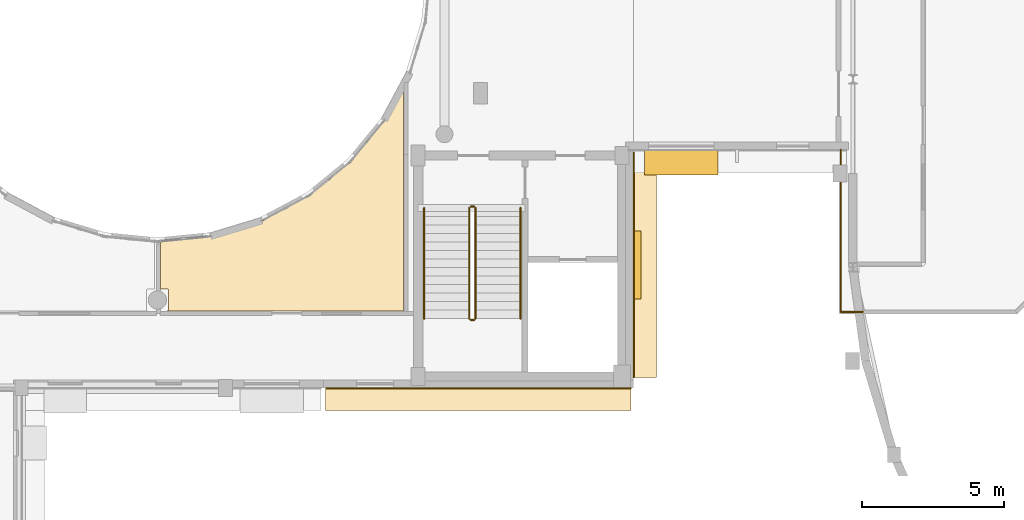
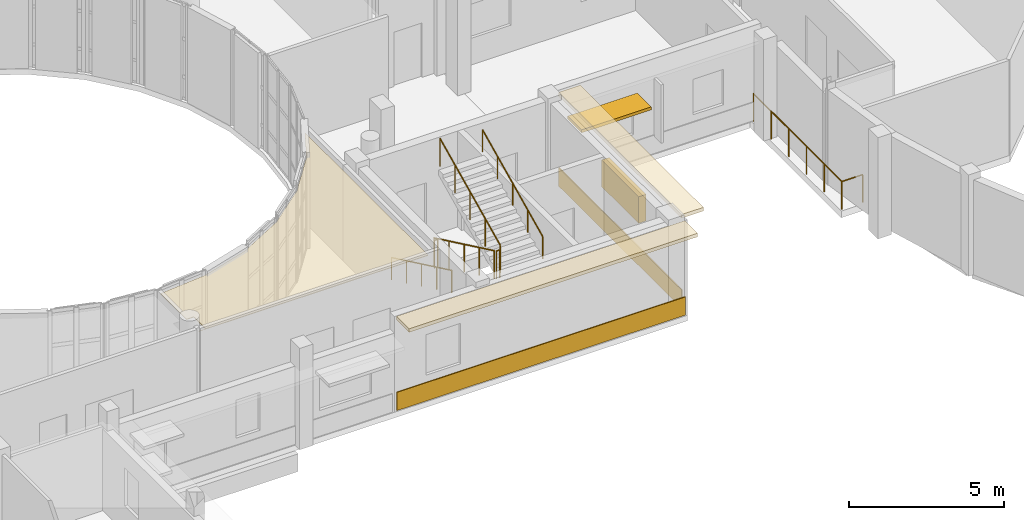
# One storey, part 84 of 92: 7 railings, 5 coverings, 2 shading devices.
"""IFC4 building model written with IfcOpenShell, lengths in metres."""

from ifc_helpers import new_model, si_unit, direction, frame, origin, origin_2d, place, context, subcontext, project, spatial, polyline, rectangle, circle, outline, extrude, material, layer, layer_set, type_object, element, save


model = new_model("IFC4")

# Units and contexts
model_context = context("Model", 3, precision=1e-05, world=origin(), true_north=direction((0.0, 1.0)))
body_context = subcontext(model_context, "Body", "Model", "MODEL_VIEW")
ifc_project = project(units=[si_unit("LENGTHUNIT", "METRE"), si_unit("AREAUNIT", "SQUARE_METRE"), si_unit("VOLUMEUNIT", "CUBIC_METRE"), si_unit("PLANEANGLEUNIT", "RADIAN"), si_unit("MASSUNIT", "GRAM", prefix="KILO")], contexts=[model_context])

# Site, building, storey
site_placement = place(None, origin())
site = spatial("IfcSite", under=ifc_project, at=site_placement, CompositionType="ELEMENT")
building_placement = place(site_placement, origin())
building = spatial("IfcBuilding", under=site, at=building_placement, Name="Kelanivale Promenade Academy", CompositionType="ELEMENT")
storey_placement = place(building_placement, frame((0.0, 0.0, 8.199951171875)))
storey = spatial("IfcBuildingStorey", under=building, at=storey_placement, Name="L02", CompositionType="ELEMENT", Elevation=8.199951171875)

# Coverings
ifc_material_1 = material(Name="Warm ivory Art Deco stucco frieze band 40 mm", Category="masonry")
ifc_layer_1 = layer(ifc_material_1, 0.0400390625)
ifc_layer_set_1 = layer_set([ifc_layer_1], Name="Warm ivory Art Deco stucco frieze band 40 mm")
covering_type_1 = type_object("IfcCoveringType", Name="COV-CLD2 Warm ivory Art Deco stucco frieze ba", PredefinedType="CLADDING", material=ifc_layer_set_1)
covering_1_placement = place(storey_placement, frame((110.1298828125, 41.60009765625, 3.6201171875), z_axis=(0.0, 0.0, 1.0), x_axis=(1.0, 0.0, 0.0)))
element("IfcCovering", 1, at=covering_1_placement, inside=storey, type_object=covering_type_1, Name="Art Deco projecting 820 mm streamline sunshade eyebrow ledge", PredefinedType="CLADDING", context=body_context, shape_type="SweptSolid", body=[
    extrude(rectangle(XDim=10.780029296875, YDim=0.820068359375, at=origin_2d()), origin(), (0.0, 0.0, 1.0), 0.139892578125),
])
covering_2_placement = place(storey_placement, frame((110.1298828125, 41.985107421875, 0.06005859375), z_axis=(0.0, 0.0, 1.0), x_axis=(1.0, 0.0, 0.0)))
element("IfcCovering", 2, at=covering_2_placement, inside=storey, type_object=covering_type_1, Name="Art Deco ivory stucco sill frieze band", PredefinedType="CLADDING", context=body_context, shape_type="SweptSolid", body=[
    extrude(rectangle(XDim=10.780029296875, YDim=0.0400390625, at=origin_2d()), origin(), (0.0, 0.0, 1.0), 0.719970703125),
])
covering_3_placement = place(storey_placement, frame((116.0, 46.340087890625, 3.6201171875), z_axis=(0.0, 0.0, 1.0), x_axis=(0.0, 1.0, 0.0)))
element("IfcCovering", 3, at=covering_3_placement, inside=storey, type_object=covering_type_1, Name="Art Deco projecting 820 mm streamline sunshade eyebrow ledge", PredefinedType="CLADDING", context=body_context, shape_type="SweptSolid", body=[
    extrude(rectangle(XDim=7.9599609375, YDim=0.820068359375, at=origin_2d()), origin(), (0.0, 0.0, 1.0), 0.139892578125),
])
covering_4_placement = place(storey_placement, frame((115.614990234375, 46.340087890625, 0.06005859375), z_axis=(0.0, 0.0, 1.0), x_axis=(0.0, 1.0, 0.0)))
element("IfcCovering", 4, at=covering_4_placement, inside=storey, type_object=covering_type_1, Name="Art Deco ivory stucco sill frieze band", PredefinedType="CLADDING", context=body_context, shape_type="SweptSolid", body=[
    extrude(rectangle(XDim=7.9599609375, YDim=0.0400390625, at=origin_2d()), origin(), (0.0, 0.0, 1.0), 0.719970703125),
])
ifc_material_2 = material(Name="Acoustic mineral-fibre ceiling tile 25 mm", Category="gypsum")
ifc_layer_2 = layer(ifc_material_2, 0.02490234375)
ifc_layer_set_2 = layer_set([ifc_layer_2], Name="Acoustic mineral-fibre ceiling tile 25 mm")
covering_type_2 = type_object("IfcCoveringType", Name="COV-CLG1 Acoustic mineral-fibre ceiling tile ", PredefinedType="CEILING", material=ifc_layer_set_2)
covering_5_placement = place(storey_placement, frame((0.0, 0.0, 3.550048828125)))
element("IfcCovering", 5, at=covering_5_placement, inside=storey, type_object=covering_type_2, Name="Secondary Classroom East A acoustic suspended ceiling", PredefinedType="CEILING", context=body_context, shape_type="SweptSolid", body=[
    extrude(outline(polyline([(104.166015625, 48.780029296875), (104.157958984375, 48.77392578125), (104.14794921875, 48.76806640625), (104.14501953125, 48.76611328125), (102.510009765625, 47.89306640625), (102.508056640625, 47.89208984375), (102.498046875, 47.886962890625), (102.489013671875, 47.884033203125), (102.47802734375, 47.8798828125), (102.47412109375, 47.8779296875), (100.700927734375, 47.340087890625), (100.69189453125, 47.337890625), (100.680908203125, 47.3359375), (100.679931640625, 47.3359375), (100.66796875, 47.333984375), (100.6630859375, 47.3330078125), (98.909912109375, 47.160888671875), (98.909912109375, 45.485107421875), (99.14501953125, 45.485107421875), (99.14892578125, 45.485107421875), (99.153076171875, 45.48388671875), (99.156982421875, 45.48291015625), (99.159912109375, 45.48193359375), (99.1640625, 45.47998046875), (99.1669921875, 45.47802734375), (99.169921875, 45.47607421875), (99.173095703125, 45.472900390625), (99.176025390625, 45.469970703125), (99.177978515625, 45.467041015625), (99.179931640625, 45.464111328125), (99.181884765625, 45.4599609375), (99.18310546875, 45.45703125), (99.18408203125, 45.452880859375), (99.18505859375, 45.448974609375), (99.18505859375, 45.445068359375), (99.18505859375, 44.7548828125), (99.18505859375, 44.7509765625), (99.18408203125, 44.7470703125), (99.18310546875, 44.742919921875), (99.181884765625, 44.739990234375), (99.179931640625, 44.736083984375), (99.177978515625, 44.73291015625), (99.176025390625, 44.72998046875), (99.173095703125, 44.72705078125), (99.169921875, 44.72412109375), (99.1669921875, 44.721923828125), (99.1640625, 44.719970703125), (99.159912109375, 44.718017578125), (99.156982421875, 44.717041015625), (99.153076171875, 44.716064453125), (99.14892578125, 44.715087890625), (99.14501953125, 44.715087890625), (98.909912109375, 44.715087890625), (98.909912109375, 44.7099609375), (107.489990234375, 44.7099609375), (107.489990234375, 52.68408203125), (106.833984375, 51.455078125), (106.83203125, 51.451904296875), (106.825927734375, 51.44189453125), (106.820068359375, 51.43408203125), (106.81298828125, 51.425048828125), (106.81201171875, 51.423095703125), (105.636962890625, 49.989990234375), (105.632080078125, 49.98388671875), (105.6240234375, 49.97607421875), (105.615966796875, 49.968017578125), (105.610107421875, 49.962890625), (104.177001953125, 48.7880859375), (104.175048828125, 48.787109375), (104.166015625, 48.780029296875)])), origin(), (0.0, 0.0, 1.0), 0.02490234375),
])

# Railings
ifc_material_3 = material(Name="Brushed stainless steel grade 316", Category="steel")
railing_type_1 = type_object("IfcRailingType", Name="GR-01 Stair Guard 1100mm", PredefinedType="BALUSTRADE", material=ifc_material_3)
railing_1_placement = place(storey_placement, frame((123.699951171875, 44.679931640625, 0.0)))
element("IfcRailing", 6, at=railing_1_placement, inside=storey, type_object=railing_type_1, Name="Assembly Viewing Gallery south end closure guard", PredefinedType="BALUSTRADE", context=body_context, shape_type="SweptSolid", body=[
    extrude(circle(Radius=0.02392578125, at=origin_2d()), frame((0.0, 0.0, 1.09619140625), z_axis=(-1.0, 0.0, 0.0), x_axis=(0.0, -1.0, 0.0)), (0.0, 0.0, 1.0), 0.780029296875),
    extrude(circle(Radius=0.02392578125, at=origin_2d()), frame((-0.780029296875, 0.0, 1.09619140625), z_axis=(0.0, 1.0, 0.0), x_axis=(-1.0, 0.0, 0.0)), (0.0, 0.0, 1.0), 5.719970703125),
    extrude(circle(Radius=0.02099609375, at=origin_2d()), origin(), (0.0, 0.0, 1.0), 1.072021484375),
    extrude(circle(Radius=0.02099609375, at=origin_2d()), frame((-0.780029296875, 0.0, 0.0)), (0.0, 0.0, 1.0), 1.072021484375),
    extrude(circle(Radius=0.02099609375, at=origin_2d()), frame((-0.780029296875, 1.14404296875, 0.0)), (0.0, 0.0, 1.0), 1.072021484375),
    extrude(circle(Radius=0.02099609375, at=origin_2d()), frame((-0.780029296875, 2.2880859375, 0.0)), (0.0, 0.0, 1.0), 1.072021484375),
    extrude(circle(Radius=0.02099609375, at=origin_2d()), frame((-0.780029296875, 3.431884765625, 0.0)), (0.0, 0.0, 1.0), 1.072021484375),
    extrude(circle(Radius=0.02099609375, at=origin_2d()), frame((-0.780029296875, 4.575927734375, 0.0)), (0.0, 0.0, 1.0), 1.072021484375),
    extrude(circle(Radius=0.02099609375, at=origin_2d()), frame((-0.780029296875, 5.719970703125, 0.0)), (0.0, 0.0, 1.0), 1.072021484375),
])
railing_2_placement = place(storey_placement, frame((109.804931640625, 48.344970703125, 0.142822265625)))
element("IfcRailing", 7, at=railing_2_placement, inside=storey, type_object=railing_type_1, Name="L02 ST-03 stair guard 1", PredefinedType="BALUSTRADE", context=body_context, shape_type="SweptSolid", body=[
    extrude(circle(Radius=0.02392578125, at=origin_2d()), frame((0.0, 0.0, 1.09619140625), z_axis=(0.0, -0.902853205547, 0.429948937937), x_axis=(1.0, 0.0, 0.0)), (0.0, 0.0, 1.0), 4.319580078125),
    extrude(circle(Radius=0.02099609375, at=origin_2d()), origin(), (0.0, 0.0, 1.0), 1.072021484375),
    extrude(circle(Radius=0.02099609375, at=origin_2d()), frame((0.0, -0.97509765625, 0.46435546875)), (0.0, 0.0, 1.0), 1.072021484375),
    extrude(circle(Radius=0.02099609375, at=origin_2d()), frame((0.0, -1.949951171875, 0.9287109375)), (0.0, 0.0, 1.0), 1.072021484375),
    extrude(circle(Radius=0.02099609375, at=origin_2d()), frame((0.0, -2.9248046875, 1.392822265625)), (0.0, 0.0, 1.0), 1.072021484375),
    extrude(circle(Radius=0.02099609375, at=origin_2d()), frame((0.0, -3.89990234375, 1.857177734375)), (0.0, 0.0, 1.0), 1.072021484375),
])
railing_3_placement = place(storey_placement, frame((109.85498046875, 44.39501953125, 2.0)))
element("IfcRailing", 8, at=railing_3_placement, inside=storey, type_object=railing_type_1, Name="L02 ST-03 stair guard 2", PredefinedType="BALUSTRADE", context=body_context, shape_type="SweptSolid", body=[
    extrude(circle(Radius=0.02392578125, at=origin_2d()), frame((0.0, 0.0, 1.09619140625), z_axis=(1.0, 0.0, 0.0), x_axis=(0.0, 1.0, 0.0)), (0.0, 0.0, 1.0), 0.1201171875),
    extrude(circle(Radius=0.02099609375, at=origin_2d()), origin(), (0.0, 0.0, 1.0), 1.072021484375),
    extrude(circle(Radius=0.02099609375, at=origin_2d()), frame((0.1201171875, 0.0, 0.0)), (0.0, 0.0, 1.0), 1.072021484375),
])
railing_4_placement = place(storey_placement, frame((110.02490234375, 44.445068359375, 2.142822265625)))
element("IfcRailing", 9, at=railing_4_placement, inside=storey, type_object=railing_type_1, Name="L02 ST-03 stair guard 3", PredefinedType="BALUSTRADE", context=body_context, shape_type="SweptSolid", body=[
    extrude(circle(Radius=0.02392578125, at=origin_2d()), frame((0.0, 0.0, 1.09619140625), z_axis=(0.0, 0.902853205547, 0.429948937937), x_axis=(-1.0, 0.0, 0.0)), (0.0, 0.0, 1.0), 4.319580078125),
    extrude(circle(Radius=0.02099609375, at=origin_2d()), origin(), (0.0, 0.0, 1.0), 1.072021484375),
    extrude(circle(Radius=0.02099609375, at=origin_2d()), frame((0.0, 0.97509765625, 0.46435546875)), (0.0, 0.0, 1.0), 1.072021484375),
    extrude(circle(Radius=0.02099609375, at=origin_2d()), frame((0.0, 1.949951171875, 0.9287109375)), (0.0, 0.0, 1.0), 1.072021484375),
    extrude(circle(Radius=0.02099609375, at=origin_2d()), frame((0.0, 2.9248046875, 1.392822265625)), (0.0, 0.0, 1.0), 1.072021484375),
    extrude(circle(Radius=0.02099609375, at=origin_2d()), frame((0.0, 3.89990234375, 1.857177734375)), (0.0, 0.0, 1.0), 1.072021484375),
])
railing_5_placement = place(storey_placement, frame((109.85498046875, 48.39501953125, 0.0)))
element("IfcRailing", 10, at=railing_5_placement, inside=storey, type_object=railing_type_1, Name="L02 ST-03 stair guard 4", PredefinedType="BALUSTRADE", context=body_context, shape_type="SweptSolid", body=[
    extrude(circle(Radius=0.02392578125, at=origin_2d()), frame((0.0, 0.0, 1.09619140625), z_axis=(1.0, 0.0, 0.0), x_axis=(0.0, 1.0, 0.0)), (0.0, 0.0, 1.0), 0.1201171875),
    extrude(circle(Radius=0.02099609375, at=origin_2d()), origin(), (0.0, 0.0, 1.0), 1.072021484375),
    extrude(circle(Radius=0.02099609375, at=origin_2d()), frame((0.1201171875, 0.0, 0.0)), (0.0, 0.0, 1.0), 1.072021484375),
])
railing_type_2 = type_object("IfcRailingType", Name="HR-01 Pitch Handrail 900mm", PredefinedType="HANDRAIL", material=ifc_material_3)
railing_6_placement = place(storey_placement, frame((108.215087890625, 48.344970703125, 0.142822265625)))
element("IfcRailing", 11, at=railing_6_placement, inside=storey, type_object=railing_type_2, Name="L02 ST-03 stair handrail 1", PredefinedType="HANDRAIL", context=body_context, shape_type="SweptSolid", body=[
    extrude(circle(Radius=0.02392578125, at=origin_2d()), frame((0.0, 0.0, 0.8759765625), z_axis=(0.0, -0.902853205547, 0.429948937937), x_axis=(1.0, 0.0, 0.0)), (0.0, 0.0, 1.0), 4.319580078125),
    extrude(circle(Radius=0.02099609375, at=origin_2d()), origin(), (0.0, 0.0, 1.0), 0.851806640625),
    extrude(circle(Radius=0.02099609375, at=origin_2d()), frame((0.0, -0.97509765625, 0.46435546875)), (0.0, 0.0, 1.0), 0.851806640625),
    extrude(circle(Radius=0.02099609375, at=origin_2d()), frame((0.0, -1.949951171875, 0.9287109375)), (0.0, 0.0, 1.0), 0.851806640625),
    extrude(circle(Radius=0.02099609375, at=origin_2d()), frame((0.0, -2.9248046875, 1.392822265625)), (0.0, 0.0, 1.0), 0.851806640625),
    extrude(circle(Radius=0.02099609375, at=origin_2d()), frame((0.0, -3.89990234375, 1.857177734375)), (0.0, 0.0, 1.0), 0.851806640625),
])
railing_7_placement = place(storey_placement, frame((111.614990234375, 44.445068359375, 2.142822265625)))
element("IfcRailing", 12, at=railing_7_placement, inside=storey, type_object=railing_type_2, Name="L02 ST-03 stair handrail 2", PredefinedType="HANDRAIL", context=body_context, shape_type="SweptSolid", body=[
    extrude(circle(Radius=0.02392578125, at=origin_2d()), frame((0.0, 0.0, 0.8759765625), z_axis=(0.0, 0.902853205547, 0.429948937937), x_axis=(-1.0, 0.0, 0.0)), (0.0, 0.0, 1.0), 4.319580078125),
    extrude(circle(Radius=0.02099609375, at=origin_2d()), origin(), (0.0, 0.0, 1.0), 0.851806640625),
    extrude(circle(Radius=0.02099609375, at=origin_2d()), frame((0.0, 0.97509765625, 0.46435546875)), (0.0, 0.0, 1.0), 0.851806640625),
    extrude(circle(Radius=0.02099609375, at=origin_2d()), frame((0.0, 1.949951171875, 0.9287109375)), (0.0, 0.0, 1.0), 0.851806640625),
    extrude(circle(Radius=0.02099609375, at=origin_2d()), frame((0.0, 2.9248046875, 1.392822265625)), (0.0, 0.0, 1.0), 0.851806640625),
    extrude(circle(Radius=0.02099609375, at=origin_2d()), frame((0.0, 3.89990234375, 1.857177734375)), (0.0, 0.0, 1.0), 0.851806640625),
])

# Shading devices
ifc_material_4 = material(Name="Precast concrete C40/50", Category="concrete")
ifc_layer_3 = layer(ifc_material_4, 0.1201171875)
ifc_layer_set_3 = layer_set([ifc_layer_3], Name="Precast concrete C40/50")
shading_device_type_1 = type_object("IfcShadingDeviceType", Name="SHD-01 Art Deco Sunshade Eyebrow 900mm", PredefinedType="USERDEFINED", material=ifc_layer_set_3)
shading_device_1_placement = place(storey_placement, frame((117.2900390625, 49.9599609375, 2.510009765625), z_axis=(0.0, 0.0, 1.0), x_axis=(1.0, 0.0, 0.0)))
element("IfcShadingDevice", 13, at=shading_device_1_placement, inside=storey, type_object=shading_device_type_1, Name="Art Deco 900 mm precast chajja window sunshade", ObjectType="SUNSHADE", PredefinedType="USERDEFINED", context=body_context, shape_type="SweptSolid", body=[
    extrude(rectangle(XDim=2.60009765625, YDim=0.89990234375, at=origin_2d()), origin(), (0.0, 0.0, 1.0), 0.1201171875),
])
ifc_material_5 = material(Name="Bronze anodised aluminium EN AW-6063 T6", Category="aluminium")
ifc_layer_4 = layer(ifc_material_5, 0.080078125)
ifc_layer_set_4 = layer_set([ifc_layer_4], Name="Bronze anodised aluminium EN AW-6063 T6")
shading_device_type_2 = type_object("IfcShadingDeviceType", Name="SHD-02 Perforated Brise-Soleil Screen", PredefinedType="JALOUSIE", material=ifc_layer_set_4)
shading_device_2_placement = place(storey_placement, frame((115.735107421875, 46.340087890625, 1.72509765625), z_axis=(0.0, 0.0, 1.0), x_axis=(0.0, 1.0, 0.0)))
element("IfcShadingDevice", 14, at=shading_device_2_placement, inside=storey, type_object=shading_device_type_2, Name="Perforated Art Deco brise-soleil louvre screen", PredefinedType="JALOUSIE", context=body_context, shape_type="SweptSolid", body=[
    extrude(rectangle(XDim=2.39990234375, YDim=0.280029296875, at=origin_2d()), origin(), (0.0, 0.0, 1.0), 1.050048828125),
])

save(model, "model.ifc")
